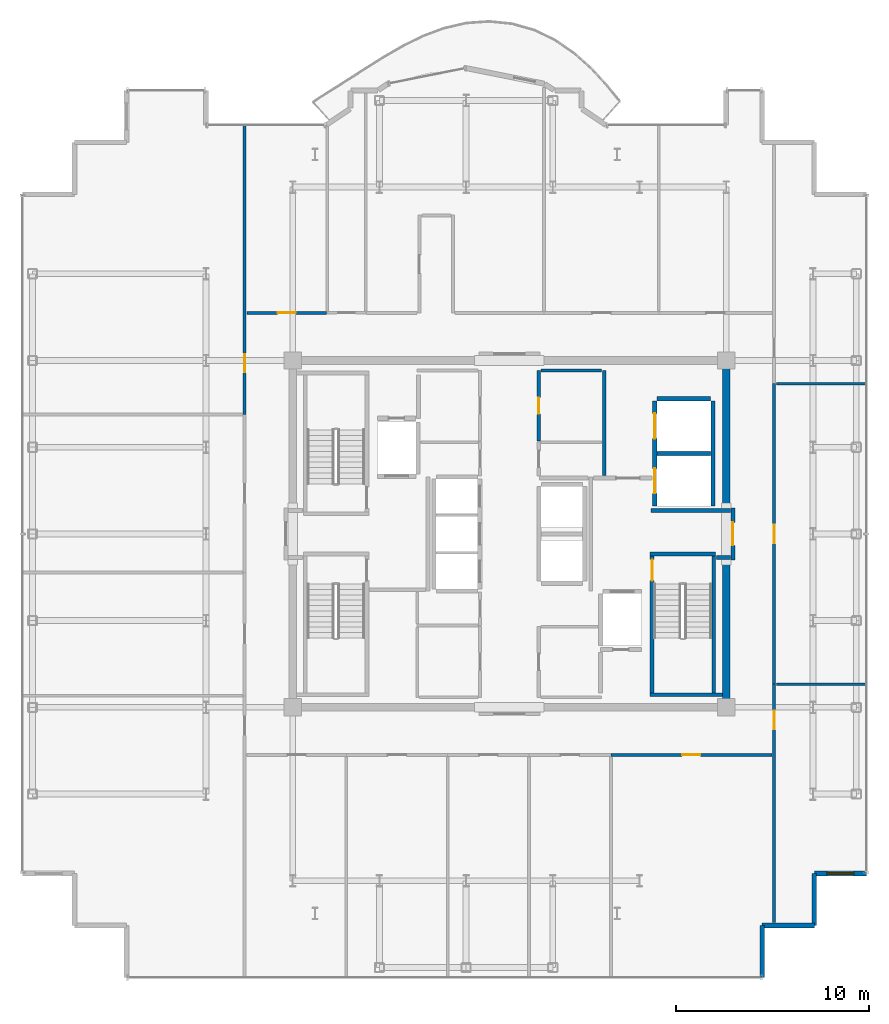
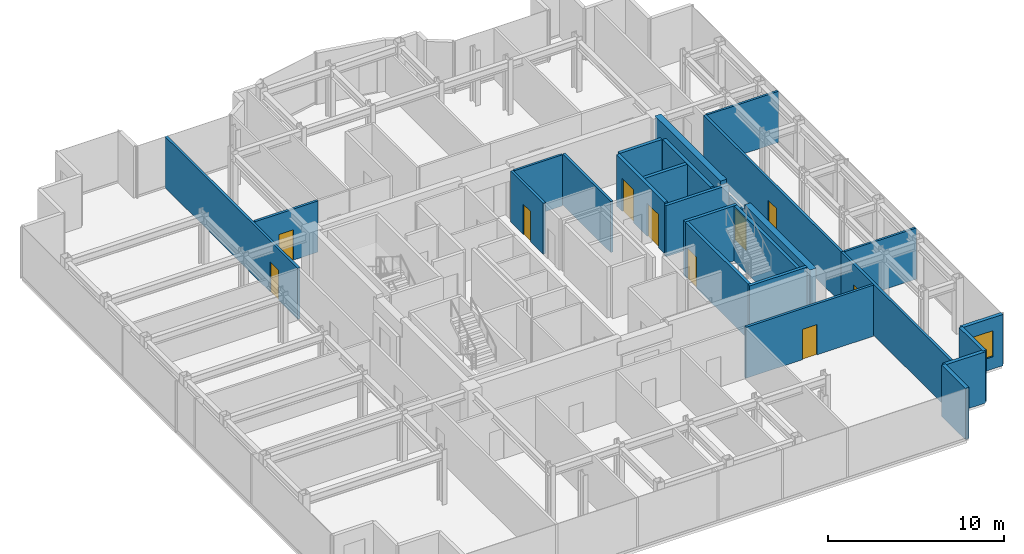
# One storey, part 15 of 18: 27 walls, 10 doors, 1 window, 11 openings.
"""IFC4 building model written with IfcOpenShell, lengths in metres."""

from ifc_helpers import new_model, si_unit, direction, frame, frame_2d, origin, place, context, subcontext, project, spatial, rectangle, extrude, source, transform, mapped, material, layer, layer_set, type_object, element, fill, save


model = new_model("IFC4")

# Units and contexts
model_context = context("Model", 3, precision=1e-05, world=origin(), true_north=direction((0.0, 1.0)))
body_context = subcontext(model_context, "Body", "Model", "MODEL_VIEW")
ifc_project = project(units=[si_unit("LENGTHUNIT", "METRE"), si_unit("AREAUNIT", "SQUARE_METRE"), si_unit("VOLUMEUNIT", "CUBIC_METRE"), si_unit("PLANEANGLEUNIT", "RADIAN"), si_unit("MASSUNIT", "GRAM", prefix="KILO")], contexts=[model_context])

# Site, building, storey
site_placement = place(None, origin())
site = spatial("IfcSite", under=ifc_project, at=site_placement, CompositionType="ELEMENT")
building_placement = place(site_placement, origin())
building = spatial("IfcBuilding", under=site, at=building_placement, Name="Nefas-Gora Pilgrimage Tower", CompositionType="ELEMENT")
storey_placement = place(building_placement, frame((0.0, 0.0, 330.0)))
storey = spatial("IfcBuildingStorey", under=building, at=storey_placement, Name="L83", CompositionType="ELEMENT", Elevation=330.0)

# Walls
ifc_material_1 = material(Name="Concrete C50/60", Category="concrete")
ifc_layer_1 = layer(ifc_material_1, 0.39990234375)
ifc_layer_set_1 = layer_set([ifc_layer_1], Name="Concrete C50/60")
wall_type_1 = type_object("IfcWallType", Name="SW-CORE-400", PredefinedType="SHEAR", material=ifc_layer_set_1)
shared_shape_1 = source(origin(), body_context, "Body", "SweptSolid", [
    extrude(rectangle(XDim=7.449951171875, YDim=0.39990234375, at=frame_2d((3.72509765625, 0.0))), origin(), (0.0, 0.0, 1.0), 3.800048828125),
])
for number, where, z_axis, x_axis, name in (
    (1, (11.25, -8.800048828125, 0.0), (0.0, 0.0, 1.0), (0.0, 1.0, 0.0), "L83 Core Shear Wall E-South"),
    (2, (11.25, 1.35009765625, 0.0), (0.0, 0.0, 1.0), (0.0, 1.0, 0.0), "L83 Core Shear Wall E-North"),
):
    element("IfcWall", number, at=place(storey_placement, frame(where, z_axis=z_axis, x_axis=x_axis)), inside=storey, type_object=wall_type_1, Name=name, PredefinedType="SHEAR", context=body_context, shape_type="MappedRepresentation", body=[
        mapped(shared_shape_1, transform((0.0, 0.0, 0.0), x_axis=(1.0, 0.0, 0.0), y_axis=(0.0, 1.0, 0.0), z_axis=(0.0, 0.0, 1.0), scale=1.0)),
    ])

# Wall, opening, window
ifc_material_2 = material(Name="Precast concrete C45/55", Category="concrete")
ifc_layer_2 = layer(ifc_material_2, 0.239990234375)
ifc_layer_set_2 = layer_set([ifc_layer_2], Name="Precast concrete C45/55")
wall_type_2 = type_object("IfcWallType", Name="EW-SERR-240", PredefinedType="SHEAR", material=ifc_layer_set_2)
shared_shape_2 = source(origin(), body_context, "Body", "SweptSolid", [
    extrude(rectangle(XDim=2.699951171875, YDim=0.239990234375, at=frame_2d((1.35009765625, 0.0))), origin(), (0.0, 0.0, 1.0), 3.550048828125),
])
wall_1_placement = place(storey_placement, frame((15.820068359375, -17.6201171875, 0.0), z_axis=(0.0, 0.0, 1.0), x_axis=(1.0, 0.0, 0.0)))
wall_1 = element("IfcWall", 3, at=wall_1_placement, inside=storey, type_object=wall_type_2, Name="L83 Serrated Corner Shear Pier Wall 1", PredefinedType="SHEAR", context=body_context, shape_type="MappedRepresentation", body=[
    mapped(shared_shape_2, transform((0.0, 0.0, 0.0), x_axis=(1.0, 0.0, 0.0), y_axis=(0.0, 1.0, 0.0), z_axis=(0.0, 0.0, 1.0), scale=1.0)),
])
opening_1_placement = place(wall_1_placement, frame((0.64990234375, 0.0, 0.85009765625)))
opening_1 = element("IfcOpeningElement", 4, at=opening_1_placement, cuts=wall_1, Name="Opening W-V2", PredefinedType="OPENING", context=body_context, shape_type="SweptSolid", body=[
    extrude(rectangle(XDim=1.39990234375, YDim=1.800048828125, at=frame_2d((0.699951171875, 0.89990234375))), frame((0.0, 0.1298828125, 0.0), z_axis=(0.0, -1.0, 0.0), x_axis=(1.0, 0.0, 0.0)), (0.0, 0.0, 1.0), 0.260009765625),
])
ifc_material_3 = material(Name="Dark ceramic-fritted operable aluminium-glass window", Category="aluminium")
window_type = type_object("IfcWindowType", Name="WIN-VENT-1400x1800", PartitioningType="SINGLE_PANEL", PredefinedType="WINDOW", material=ifc_material_3)
shared_shape_3 = source(origin(), body_context, "Body", "SweptSolid", [
    extrude(rectangle(XDim=1.39990234375, YDim=1.800048828125, at=frame_2d((0.699951171875, 0.89990234375))), frame((0.0, 0.030029296875, 0.0), z_axis=(0.0, -1.0, 0.0), x_axis=(1.0, 0.0, 0.0)), (0.0, 0.0, 1.0), 0.06005859375),
])
window_placement = place(opening_1_placement, origin())
window = element("IfcWindow", 5, at=window_placement, inside=storey, type_object=window_type, Name="L83 Operable Parallel-Outswing Window 1", OverallHeight=1.800048828125, OverallWidth=1.39990234375, PartitioningType="SINGLE_PANEL", PredefinedType="WINDOW", context=body_context, shape_type="MappedRepresentation", body=[
    mapped(shared_shape_3, transform((0.0, 0.0, 0.0), x_axis=(1.0, 0.0, 0.0), y_axis=(0.0, 1.0, 0.0), z_axis=(0.0, 0.0, 1.0), scale=1.0)),
])
fill(opening_1, window)

# Walls
for number, where, z_axis, x_axis, name in (
    (6, (13.1201171875, -23.02001953125, 0.0), (0.0, 0.0, 1.0), (0.0, 1.0, 0.0), "L83 Serrated Corner Shear Pier Wall 25"),
    (7, (13.1201171875, -20.320068359375, 0.0), (0.0, 0.0, 1.0), (1.0, 0.0, 0.0), "L83 Serrated Corner Shear Pier Wall 26"),
    (8, (15.820068359375, -20.320068359375, 0.0), (0.0, 0.0, 1.0), (0.0, 1.0, 0.0), "L83 Serrated Corner Shear Pier Wall 27"),
):
    element("IfcWall", number, at=place(storey_placement, frame(where, z_axis=z_axis, x_axis=x_axis)), inside=storey, type_object=wall_type_2, Name=name, PredefinedType="SHEAR", context=body_context, shape_type="MappedRepresentation", body=[
        mapped(shared_shape_2, transform((0.0, 0.0, 0.0), x_axis=(1.0, 0.0, 0.0), y_axis=(0.0, 1.0, 0.0), z_axis=(0.0, 0.0, 1.0), scale=1.0)),
    ])
ifc_material_4 = material(Name="Concrete C45/55", Category="concrete")
ifc_layer_3 = layer(ifc_material_4, 0.199951171875)
ifc_layer_set_3 = layer_set([ifc_layer_3], Name="Concrete C45/55")
wall_type_3 = type_object("IfcWallType", Name="IW-STAIR-200", PredefinedType="SOLIDWALL", material=ifc_layer_set_3)
shared_shape_4 = source(origin(), body_context, "Body", "SweptSolid", [
    extrude(rectangle(XDim=3.39990234375, YDim=0.199951171875, at=frame_2d((1.699951171875, 0.0))), origin(), (0.0, 0.0, 1.0), 3.800048828125),
])
wall_2_placement = place(storey_placement, frame((7.300048828125, -1.050048828125, 0.0), z_axis=(0.0, 0.0, 1.0), x_axis=(1.0, 0.0, 0.0)))
element("IfcWall", 9, at=wall_2_placement, inside=storey, type_object=wall_type_3, Name="L83 Stairwell Shear Wall ST-02-near", PredefinedType="SOLIDWALL", context=body_context, shape_type="MappedRepresentation", body=[
    mapped(shared_shape_4, transform((0.0, 0.0, 0.0), x_axis=(1.0, 0.0, 0.0), y_axis=(0.0, 1.0, 0.0), z_axis=(0.0, 0.0, 1.0), scale=1.0)),
])

# Wall, opening, door
shared_shape_5 = source(origin(), body_context, "Body", "SweptSolid", [
    extrude(rectangle(XDim=7.10009765625, YDim=0.199951171875, at=frame_2d((3.550048828125, 0.0))), origin(), (0.0, 0.0, 1.0), 3.800048828125),
])
wall_3_placement = place(storey_placement, frame((7.39990234375, -1.14990234375, 0.0), z_axis=(0.0, 0.0, 1.0), x_axis=(0.0, -1.0, 0.0)))
wall_3 = element("IfcWall", 10, at=wall_3_placement, inside=storey, type_object=wall_type_3, Name="L83 Stairwell Shear Wall ST-02-left", PredefinedType="SOLIDWALL", context=body_context, shape_type="MappedRepresentation", body=[
    mapped(shared_shape_5, transform((0.0, 0.0, 0.0), x_axis=(1.0, 0.0, 0.0), y_axis=(0.0, 1.0, 0.0), z_axis=(0.0, 0.0, 1.0), scale=1.0)),
])
opening_2_placement = place(wall_3_placement, frame((0.179931640625, 0.0, 0.0)))
opening_2 = element("IfcOpeningElement", 11, at=opening_2_placement, cuts=wall_3, Name="Opening ID-ST1", PredefinedType="OPENING", context=body_context, shape_type="SweptSolid", body=[
    extrude(rectangle(XDim=1.10009765625, YDim=2.14990234375, at=frame_2d((0.550048828125, 1.074951171875))), frame((0.0, 0.10986328125, 0.0), z_axis=(0.0, -1.0, 0.0), x_axis=(1.0, 0.0, 0.0)), (0.0, 0.0, 1.0), 0.219970703125),
])
ifc_material_5 = material(Name="Painted galvanised steel fire stair door", Category="steel")
door_type_1 = type_object("IfcDoorType", Name="DR-INT-STAIR-1100", OperationType="NOTDEFINED", PredefinedType="DOOR", material=ifc_material_5)
shared_shape_6 = source(origin(), body_context, "Body", "SweptSolid", [
    extrude(rectangle(XDim=1.10009765625, YDim=2.14990234375, at=frame_2d((0.550048828125, 1.074951171875))), frame((0.0, 0.02490234375, 0.0), z_axis=(0.0, -1.0, 0.0), x_axis=(1.0, 0.0, 0.0)), (0.0, 0.0, 1.0), 0.050048828125),
])
door_1_placement = place(opening_2_placement, origin())
door_1 = element("IfcDoor", 12, at=door_1_placement, inside=storey, type_object=door_type_1, Name="L83 Protected Exit Stair Door ST-02", OperationType="SINGLE_SWING_RIGHT", OverallHeight=2.14990234375, OverallWidth=1.10009765625, PredefinedType="DOOR", context=body_context, shape_type="MappedRepresentation", body=[
    mapped(shared_shape_6, transform((0.0, 0.0, 0.0), x_axis=(1.0, 0.0, 0.0), y_axis=(0.0, 1.0, 0.0), z_axis=(0.0, 0.0, 1.0), scale=1.0)),
])
fill(opening_2, door_1)

# Walls
wall_4_placement = place(storey_placement, frame((10.60009765625, -1.14990234375, 0.0), z_axis=(0.0, 0.0, 1.0), x_axis=(0.0, -1.0, 0.0)))
element("IfcWall", 13, at=wall_4_placement, inside=storey, type_object=wall_type_3, Name="L83 Stairwell Shear Wall ST-02-right", PredefinedType="SOLIDWALL", context=body_context, shape_type="MappedRepresentation", body=[
    mapped(shared_shape_5, transform((0.0, 0.0, 0.0), x_axis=(1.0, 0.0, 0.0), y_axis=(0.0, 1.0, 0.0), z_axis=(0.0, 0.0, 1.0), scale=1.0)),
])
shared_shape_7 = source(origin(), body_context, "Body", "SweptSolid", [
    extrude(rectangle(XDim=3.7548828125, YDim=0.199951171875, at=frame_2d((1.87744140625, 0.0))), origin(), (0.0, 0.0, 1.0), 3.800048828125),
])
wall_5_placement = place(storey_placement, frame((7.300048828125, -8.35009765625, 0.0), z_axis=(0.0, 0.0, 1.0), x_axis=(1.0, 0.0, 0.0)))
element("IfcWall", 14, at=wall_5_placement, inside=storey, type_object=wall_type_3, Name="L83 Stairwell Shear Wall ST-02-far", PredefinedType="SOLIDWALL", context=body_context, shape_type="MappedRepresentation", body=[
    mapped(shared_shape_7, transform((0.0, 0.0, 0.0), x_axis=(1.0, 0.0, 0.0), y_axis=(0.0, 1.0, 0.0), z_axis=(0.0, 0.0, 1.0), scale=1.0)),
])

# Wall, openings, doors
ifc_material_6 = material(Name="Concrete C40/50", Category="concrete")
ifc_layer_4 = layer(ifc_material_6, 0.219970703125)
ifc_layer_set_4 = layer_set([ifc_layer_4], Name="Concrete C40/50")
wall_type_4 = type_object("IfcWallType", Name="IW-SHAFT-220", PredefinedType="SOLIDWALL", material=ifc_layer_set_4)
shared_shape_8 = source(origin(), body_context, "Body", "SweptSolid", [
    extrude(rectangle(XDim=5.449951171875, YDim=0.219970703125, at=frame_2d((2.72509765625, 0.0))), origin(), (0.0, 0.0, 1.0), 3.534912109375),
])
wall_6_placement = place(storey_placement, frame((7.5400390625, 6.89990234375, 0.0), z_axis=(0.0, 0.0, 1.0), x_axis=(0.0, -1.0, 0.0)))
wall_6 = element("IfcWall", 15, at=wall_6_placement, inside=storey, type_object=wall_type_4, Name="L83 Hoistway Wall SL-01-02-W", PredefinedType="SOLIDWALL", context=body_context, shape_type="MappedRepresentation", body=[
    mapped(shared_shape_8, transform((0.0, 0.0, 0.0), x_axis=(1.0, 0.0, 0.0), y_axis=(0.0, 1.0, 0.0), z_axis=(0.0, 0.0, 1.0), scale=1.0)),
])
opening_3_placement = place(wall_6_placement, frame((3.5, 0.0, 0.0)))
opening_3 = element("IfcOpeningElement", 16, at=opening_3_placement, cuts=wall_6, Name="Opening LD-SV", PredefinedType="OPENING", context=body_context, shape_type="SweptSolid", body=[
    extrude(rectangle(XDim=1.300048828125, YDim=2.300048828125, at=frame_2d((0.64990234375, 1.14990234375))), frame((0.0, 0.119873046875, 0.0), z_axis=(0.0, -1.0, 0.0), x_axis=(1.0, 0.0, 0.0)), (0.0, 0.0, 1.0), 0.239990234375),
])
opening_4_placement = place(wall_6_placement, frame((0.64990234375, 0.0, 0.0)))
opening_4 = element("IfcOpeningElement", 17, at=opening_4_placement, cuts=wall_6, Name="Opening LD-SV", PredefinedType="OPENING", context=body_context, shape_type="SweptSolid", body=[
    extrude(rectangle(XDim=1.300048828125, YDim=2.300048828125, at=frame_2d((0.64990234375, 1.14990234375))), frame((0.0, 0.119873046875, 0.0), z_axis=(0.0, -1.0, 0.0), x_axis=(1.0, 0.0, 0.0)), (0.0, 0.0, 1.0), 0.239990234375),
])
ifc_material_7 = material(Name="Heavy goods sliding lift landing door")
door_type_2 = type_object("IfcDoorType", Name="DR-LIFT-SERV-1300", OperationType="SLIDING_TO_RIGHT", PredefinedType="DOOR", material=ifc_material_7)
shared_shape_9 = source(origin(), body_context, "Body", "SweptSolid", [
    extrude(rectangle(XDim=1.300048828125, YDim=2.300048828125, at=frame_2d((0.64990234375, 1.14990234375))), frame((0.0, 0.02490234375, 0.0), z_axis=(0.0, -1.0, 0.0), x_axis=(1.0, 0.0, 0.0)), (0.0, 0.0, 1.0), 0.050048828125),
])
door_2_placement = place(opening_3_placement, origin())
door_2 = element("IfcDoor", 18, at=door_2_placement, inside=storey, type_object=door_type_2, Name="L83 Sliding Lift Landing Door SL-01", OperationType="SLIDING_TO_RIGHT", OverallHeight=2.300048828125, OverallWidth=1.300048828125, PredefinedType="DOOR", context=body_context, shape_type="MappedRepresentation", body=[
    mapped(shared_shape_9, transform((0.0, 0.0, 0.0), x_axis=(1.0, 0.0, 0.0), y_axis=(0.0, 1.0, 0.0), z_axis=(0.0, 0.0, 1.0), scale=1.0)),
])
fill(opening_3, door_2)
door_3_placement = place(opening_4_placement, origin())
door_3 = element("IfcDoor", 19, at=door_3_placement, inside=storey, type_object=door_type_2, Name="L83 Sliding Lift Landing Door SL-02", OperationType="SLIDING_TO_RIGHT", OverallHeight=2.300048828125, OverallWidth=1.300048828125, PredefinedType="DOOR", context=body_context, shape_type="MappedRepresentation", body=[
    mapped(shared_shape_9, transform((0.0, 0.0, 0.0), x_axis=(1.0, 0.0, 0.0), y_axis=(0.0, 1.0, 0.0), z_axis=(0.0, 0.0, 1.0), scale=1.0)),
])
fill(opening_4, door_3)

# Walls
wall_7_placement = place(storey_placement, frame((10.56005859375, 1.449951171875, 0.0), z_axis=(0.0, 0.0, 1.0), x_axis=(0.0, 1.0, 0.0)))
element("IfcWall", 20, at=wall_7_placement, inside=storey, type_object=wall_type_4, Name="L83 Hoistway Wall SL-01-02-E", PredefinedType="SOLIDWALL", context=body_context, shape_type="MappedRepresentation", body=[
    mapped(shared_shape_8, transform((0.0, 0.0, 0.0), x_axis=(1.0, 0.0, 0.0), y_axis=(0.0, 1.0, 0.0), z_axis=(0.0, 0.0, 1.0), scale=1.0)),
])
shared_shape_10 = source(origin(), body_context, "Body", "SweptSolid", [
    extrude(rectangle(XDim=2.780029296875, YDim=0.219970703125, at=frame_2d((1.39013671875, 0.0))), origin(), (0.0, 0.0, 1.0), 3.534912109375),
])
for number, where, z_axis, x_axis, name in (
    (21, (7.659912109375, 4.175048828125, 0.0), (0.0, 0.0, 1.0), (1.0, 0.0, 0.0), "L83 Hoistway Wall SL-01-02-DIV"),
    (22, (10.43994140625, 7.010009765625, 0.0), (0.0, 0.0, 1.0), (-1.0, 0.0, 0.0), "L83 Hoistway Wall SL-02-N"),
):
    element("IfcWall", number, at=place(storey_placement, frame(where, z_axis=z_axis, x_axis=x_axis)), inside=storey, type_object=wall_type_4, Name=name, PredefinedType="SOLIDWALL", context=body_context, shape_type="MappedRepresentation", body=[
        mapped(shared_shape_10, transform((0.0, 0.0, 0.0), x_axis=(1.0, 0.0, 0.0), y_axis=(0.0, 1.0, 0.0), z_axis=(0.0, 0.0, 1.0), scale=1.0)),
    ])
ifc_material_8 = material(Name="Gypsum fire-rated shaftwall")
ifc_layer_5 = layer(ifc_material_8, 0.199951171875)
ifc_layer_set_5 = layer_set([ifc_layer_5], Name="Gypsum fire-rated shaftwall")
wall_type_5 = type_object("IfcWallType", Name="IW-FFLOB-200", PredefinedType="PARTITIONING", material=ifc_layer_set_5)
shared_shape_11 = source(origin(), body_context, "Body", "SweptSolid", [
    extrude(rectangle(XDim=0.719970703125, YDim=0.199951171875, at=frame_2d((0.35986328125, 0.0))), origin(), (0.0, 0.0, 1.0), 3.534912109375),
])
wall_8_placement = place(storey_placement, frame((10.739990234375, -1.219970703125, 0.0), z_axis=(0.0, 0.0, 1.0), x_axis=(1.0, 0.0, 0.0)))
element("IfcWall", 23, at=wall_8_placement, inside=storey, type_object=wall_type_5, Name="L83 FF Lobby East Throat S Wall 15", PredefinedType="PARTITIONING", context=body_context, shape_type="MappedRepresentation", body=[
    mapped(shared_shape_11, transform((0.0, 0.0, 0.0), x_axis=(1.0, 0.0, 0.0), y_axis=(0.0, 1.0, 0.0), z_axis=(0.0, 0.0, 1.0), scale=1.0)),
])
shared_shape_12 = source(origin(), body_context, "Body", "SweptSolid", [
    extrude(rectangle(XDim=4.10986328125, YDim=0.199951171875, at=frame_2d((2.054931640625, 0.0))), origin(), (0.0, 0.0, 1.0), 3.534912109375),
])
wall_9_placement = place(storey_placement, frame((7.35009765625, 1.219970703125, 0.0), z_axis=(0.0, 0.0, 1.0), x_axis=(1.0, 0.0, 0.0)))
element("IfcWall", 24, at=wall_9_placement, inside=storey, type_object=wall_type_5, Name="L83 FF Lobby East Throat N Wall 14", PredefinedType="PARTITIONING", context=body_context, shape_type="MappedRepresentation", body=[
    mapped(shared_shape_12, transform((0.0, 0.0, 0.0), x_axis=(1.0, 0.0, 0.0), y_axis=(0.0, 1.0, 0.0), z_axis=(0.0, 0.0, 1.0), scale=1.0)),
])

# Wall, opening, door
ifc_material_9 = material(Name="Gypsum acoustic stud partition")
ifc_layer_6 = layer(ifc_material_9, 0.159912109375)
ifc_layer_set_6 = layer_set([ifc_layer_6], Name="Gypsum acoustic stud partition")
wall_type_6 = type_object("IfcWallType", Name="IW-CORR-160", PredefinedType="PARTITIONING", material=ifc_layer_set_6)
shared_shape_13 = source(origin(), body_context, "Body", "SweptSolid", [
    extrude(rectangle(XDim=4.125, YDim=0.159912109375, at=frame_2d((2.0625, 0.0))), origin(), (0.0, 0.0, 1.0), 3.534912109375),
])
wall_10_placement = place(storey_placement, frame((-13.6201171875, 11.469970703125, 0.0), z_axis=(0.0, 0.0, 1.0), x_axis=(1.0, 0.0, 0.0)))
wall_10 = element("IfcWall", 25, at=wall_10_placement, inside=storey, type_object=wall_type_6, Name="L83 Pilgrim Fellowship Seminar Room Partition Wall 51", PredefinedType="PARTITIONING", context=body_context, shape_type="MappedRepresentation", body=[
    mapped(shared_shape_13, transform((0.0, 0.0, 0.0), x_axis=(1.0, 0.0, 0.0), y_axis=(0.0, 1.0, 0.0), z_axis=(0.0, 0.0, 1.0), scale=1.0)),
])
opening_5_placement = place(wall_10_placement, frame((1.58740234375, 0.0, 0.0)))
opening_5 = element("IfcOpeningElement", 26, at=opening_5_placement, cuts=wall_10, Name="Opening ID-GR1", PredefinedType="OPENING", context=body_context, shape_type="SweptSolid", body=[
    extrude(rectangle(XDim=0.949951171875, YDim=2.10009765625, at=frame_2d((0.47509765625, 1.050048828125))), frame((0.0, 0.08984375, 0.0), z_axis=(0.0, -1.0, 0.0), x_axis=(1.0, 0.0, 0.0)), (0.0, 0.0, 1.0), 0.179931640625),
])
ifc_material_10 = material(Name="Solid core oak fire-rated guest entrance door")
door_type_3 = type_object("IfcDoorType", Name="DR-INT-GUEST-950", OperationType="NOTDEFINED", PredefinedType="DOOR", material=ifc_material_10)
shared_shape_14 = source(origin(), body_context, "Body", "SweptSolid", [
    extrude(rectangle(XDim=0.949951171875, YDim=2.10009765625, at=frame_2d((0.47509765625, 1.050048828125))), frame((0.0, 0.02490234375, 0.0), z_axis=(0.0, -1.0, 0.0), x_axis=(1.0, 0.0, 0.0)), (0.0, 0.0, 1.0), 0.050048828125),
])
door_4_placement = place(opening_5_placement, origin())
door_4 = element("IfcDoor", 27, at=door_4_placement, inside=storey, type_object=door_type_3, Name="L83 Pilgrim Fellowship Seminar Room Door 23", OperationType="SINGLE_SWING_RIGHT", OverallHeight=2.10009765625, OverallWidth=0.949951171875, PredefinedType="DOOR", context=body_context, shape_type="MappedRepresentation", body=[
    mapped(shared_shape_14, transform((0.0, 0.0, 0.0), x_axis=(1.0, 0.0, 0.0), y_axis=(0.0, 1.0, 0.0), z_axis=(0.0, 0.0, 1.0), scale=1.0)),
])
fill(opening_5, door_4)

# Walls
ifc_material_11 = material(Name="Gypsum twin-stud partition")
ifc_layer_7 = layer(ifc_material_11, 0.139892578125)
ifc_layer_set_7 = layer_set([ifc_layer_7], Name="Gypsum twin-stud partition")
wall_type_7 = type_object("IfcWallType", Name="IW-UNIT-140", PredefinedType="PARTITIONING", material=ifc_layer_set_7)
shared_shape_15 = source(origin(), body_context, "Body", "SweptSolid", [
    extrude(rectangle(XDim=3.150146484375, YDim=0.139892578125, at=frame_2d((1.5751953125, 0.0))), origin(), (0.0, 0.0, 1.0), 3.534912109375),
])
wall_11_placement = place(storey_placement, frame((1.639892578125, 8.47998046875, 0.0), z_axis=(0.0, 0.0, 1.0), x_axis=(1.0, 0.0, 0.0)))
element("IfcWall", 28, at=wall_11_placement, inside=storey, type_object=wall_type_7, Name="L83 Amenity Supply Store Partition Wall 26", PredefinedType="PARTITIONING", context=body_context, shape_type="MappedRepresentation", body=[
    mapped(shared_shape_15, transform((0.0, 0.0, 0.0), x_axis=(1.0, 0.0, 0.0), y_axis=(0.0, 1.0, 0.0), z_axis=(0.0, 0.0, 1.0), scale=1.0)),
])
shared_shape_16 = source(origin(), body_context, "Body", "SweptSolid", [
    extrude(rectangle(XDim=5.449951171875, YDim=0.159912109375, at=frame_2d((2.72509765625, 0.0))), origin(), (0.0, 0.0, 1.0), 3.534912109375),
])
wall_12_placement = place(storey_placement, frame((4.919921875, 3.0400390625, 0.0), z_axis=(0.0, 0.0, 1.0), x_axis=(0.0, 1.0, 0.0)))
element("IfcWall", 29, at=wall_12_placement, inside=storey, type_object=wall_type_6, Name="L83 Service Lift Lobby West Wall Wall 18", PredefinedType="PARTITIONING", context=body_context, shape_type="MappedRepresentation", body=[
    mapped(shared_shape_16, transform((0.0, 0.0, 0.0), x_axis=(1.0, 0.0, 0.0), y_axis=(0.0, 1.0, 0.0), z_axis=(0.0, 0.0, 1.0), scale=1.0)),
])

# Wall, opening, door
shared_shape_17 = source(origin(), body_context, "Body", "SweptSolid", [
    extrude(rectangle(XDim=3.679931640625, YDim=0.159912109375, at=frame_2d((1.83984375, 0.0))), origin(), (0.0, 0.0, 1.0), 3.534912109375),
])
wall_13_placement = place(storey_placement, frame((1.52001953125, 4.81005859375, 0.0), z_axis=(0.0, 0.0, 1.0), x_axis=(0.0, 1.0, 0.0)))
wall_13 = element("IfcWall", 30, at=wall_13_placement, inside=storey, type_object=wall_type_6, Name="L83 Amenity Supply Store Wall 25", PredefinedType="PARTITIONING", context=body_context, shape_type="MappedRepresentation", body=[
    mapped(shared_shape_17, transform((0.0, 0.0, 0.0), x_axis=(1.0, 0.0, 0.0), y_axis=(0.0, 1.0, 0.0), z_axis=(0.0, 0.0, 1.0), scale=1.0)),
])
opening_6_placement = place(wall_13_placement, frame((1.4150390625, 0.0, 0.0)))
opening_6 = element("IfcOpeningElement", 31, at=opening_6_placement, cuts=wall_13, Name="Opening ID-BT1", PredefinedType="OPENING", context=body_context, shape_type="SweptSolid", body=[
    extrude(rectangle(XDim=0.85009765625, YDim=2.10009765625, at=frame_2d((0.425048828125, 1.050048828125))), frame((0.0, 0.08984375, 0.0), z_axis=(0.0, -1.0, 0.0), x_axis=(1.0, 0.0, 0.0)), (0.0, 0.0, 1.0), 0.179931640625),
])
ifc_material_12 = material(Name="Moisture-resistant fire-rated timber door", Category="wood")
door_type_4 = type_object("IfcDoorType", Name="DR-INT-BATH-850", OperationType="NOTDEFINED", PredefinedType="DOOR", material=ifc_material_12)
shared_shape_18 = source(origin(), body_context, "Body", "SweptSolid", [
    extrude(rectangle(XDim=0.85009765625, YDim=2.10009765625, at=frame_2d((0.425048828125, 1.050048828125))), frame((0.0, 0.02490234375, 0.0), z_axis=(0.0, -1.0, 0.0), x_axis=(1.0, 0.0, 0.0)), (0.0, 0.0, 1.0), 0.050048828125),
])
door_5_placement = place(opening_6_placement, origin())
door_5 = element("IfcDoor", 32, at=door_5_placement, inside=storey, type_object=door_type_4, Name="L83 Amenity Supply Store Door 11", OperationType="SINGLE_SWING_RIGHT", OverallHeight=2.10009765625, OverallWidth=0.85009765625, PredefinedType="DOOR", context=body_context, shape_type="MappedRepresentation", body=[
    mapped(shared_shape_18, transform((0.0, 0.0, 0.0), x_axis=(1.0, 0.0, 0.0), y_axis=(0.0, 1.0, 0.0), z_axis=(0.0, 0.0, 1.0), scale=1.0)),
])
fill(opening_6, door_5)

shared_shape_19 = source(origin(), body_context, "Body", "SweptSolid", [
    extrude(rectangle(XDim=2.7001953125, YDim=0.199951171875, at=frame_2d((1.35009765625, 0.0))), origin(), (0.0, 0.0, 1.0), 2.625),
])
wall_14_placement = place(storey_placement, frame((11.60009765625, -1.35009765625, 0.0), z_axis=(0.0, 0.0, 1.0), x_axis=(0.0, 1.0, 0.0)))
wall_14 = element("IfcWall", 33, at=wall_14_placement, inside=storey, type_object=wall_type_5, Name="L83 FF Lobby East Portal Wall 10", PredefinedType="PARTITIONING", context=body_context, shape_type="MappedRepresentation", body=[
    mapped(shared_shape_19, transform((0.0, 0.0, 0.0), x_axis=(1.0, 0.0, 0.0), y_axis=(0.0, 1.0, 0.0), z_axis=(0.0, 0.0, 1.0), scale=1.0)),
])
opening_7_placement = place(wall_14_placement, frame((0.75, 0.0, 0.0)))
opening_7 = element("IfcOpeningElement", 34, at=opening_7_placement, cuts=wall_14, Name="Opening ID-FF1", PredefinedType="OPENING", context=body_context, shape_type="SweptSolid", body=[
    extrude(rectangle(XDim=1.199951171875, YDim=2.14990234375, at=frame_2d((0.60009765625, 1.074951171875))), frame((0.0, 0.10986328125, 0.0), z_axis=(0.0, -1.0, 0.0), x_axis=(1.0, 0.0, 0.0)), (0.0, 0.0, 1.0), 0.219970703125),
])
ifc_material_13 = material(Name="Smoke-sealed steel firefighting lobby door", Category="steel")
door_type_5 = type_object("IfcDoorType", Name="DR-INT-FFLOB-1200", OperationType="NOTDEFINED", PredefinedType="DOOR", material=ifc_material_13)
shared_shape_20 = source(origin(), body_context, "Body", "SweptSolid", [
    extrude(rectangle(XDim=1.199951171875, YDim=2.14990234375, at=frame_2d((0.60009765625, 1.074951171875))), frame((0.0, 0.02490234375, 0.0), z_axis=(0.0, -1.0, 0.0), x_axis=(1.0, 0.0, 0.0)), (0.0, 0.0, 1.0), 0.050048828125),
])
door_6_placement = place(opening_7_placement, origin())
door_6 = element("IfcDoor", 35, at=door_6_placement, inside=storey, type_object=door_type_5, Name="L83 FF Lobby East Portal Door 4", OperationType="SINGLE_SWING_LEFT", OverallHeight=2.14990234375, OverallWidth=1.199951171875, PredefinedType="DOOR", context=body_context, shape_type="MappedRepresentation", body=[
    mapped(shared_shape_20, transform((0.0, 0.0, 0.0), x_axis=(1.0, 0.0, 0.0), y_axis=(0.0, 1.0, 0.0), z_axis=(0.0, 0.0, 1.0), scale=1.0)),
])
fill(opening_7, door_6)

# Walls
shared_shape_21 = source(origin(), body_context, "Body", "SweptSolid", [
    extrude(rectangle(XDim=4.679931640625, YDim=0.139892578125, at=frame_2d((2.33984375, 0.0))), origin(), (0.0, 0.0, 1.0), 3.534912109375),
])
for number, where, z_axis, x_axis, name in (
    (36, (13.860107421875, -7.804931640625, 0.0), (0.0, 0.0, 1.0), (1.0, 0.0, 0.0), "L83 Pilgrim Fellowship Seminar Room Partition Wall 47"),
    (37, (13.860107421875, 7.794921875, 0.0), (0.0, 0.0, 1.0), (1.0, 0.0, 0.0), "L83 Pilgrim Fellowship Seminar Room Partition Wall 49"),
):
    element("IfcWall", number, at=place(storey_placement, frame(where, z_axis=z_axis, x_axis=x_axis)), inside=storey, type_object=wall_type_7, Name=name, PredefinedType="PARTITIONING", context=body_context, shape_type="MappedRepresentation", body=[
        mapped(shared_shape_21, transform((0.0, 0.0, 0.0), x_axis=(1.0, 0.0, 0.0), y_axis=(0.0, 1.0, 0.0), z_axis=(0.0, 0.0, 1.0), scale=1.0)),
    ])

# Wall, opening, door
shared_shape_22 = source(origin(), body_context, "Body", "SweptSolid", [
    extrude(rectangle(XDim=15.044921875, YDim=0.159912109375, at=frame_2d((7.5224609375, 0.0))), origin(), (0.0, 0.0, 1.0), 3.534912109375),
])
wall_15_placement = place(storey_placement, frame((-13.739990234375, 6.195068359375, 0.0), z_axis=(0.0, 0.0, 1.0), x_axis=(0.0, 1.0, 0.0)))
wall_15 = element("IfcWall", 38, at=wall_15_placement, inside=storey, type_object=wall_type_6, Name="L83 Pilgrim Tea and Beverage Pantry Partition Wall 45", PredefinedType="PARTITIONING", context=body_context, shape_type="MappedRepresentation", body=[
    mapped(shared_shape_22, transform((0.0, 0.0, 0.0), x_axis=(1.0, 0.0, 0.0), y_axis=(0.0, 1.0, 0.0), z_axis=(0.0, 0.0, 1.0), scale=1.0)),
])
opening_8_placement = place(wall_15_placement, frame((2.1826171875, 0.0, 0.0)))
opening_8 = element("IfcOpeningElement", 39, at=opening_8_placement, cuts=wall_15, Name="Opening ID-GR1", PredefinedType="OPENING", context=body_context, shape_type="SweptSolid", body=[
    extrude(rectangle(XDim=0.949951171875, YDim=2.10009765625, at=frame_2d((0.47509765625, 1.050048828125))), frame((0.0, 0.08984375, 0.0), z_axis=(0.0, -1.0, 0.0), x_axis=(1.0, 0.0, 0.0)), (0.0, 0.0, 1.0), 0.179931640625),
])
door_7_placement = place(opening_8_placement, origin())
door_7 = element("IfcDoor", 40, at=door_7_placement, inside=storey, type_object=door_type_3, Name="L83 Pilgrim Tea and Beverage Pantry Door 19", OperationType="SINGLE_SWING_RIGHT", OverallHeight=2.10009765625, OverallWidth=0.949951171875, PredefinedType="DOOR", context=body_context, shape_type="MappedRepresentation", body=[
    mapped(shared_shape_14, transform((0.0, 0.0, 0.0), x_axis=(1.0, 0.0, 0.0), y_axis=(0.0, 1.0, 0.0), z_axis=(0.0, 0.0, 1.0), scale=1.0)),
])
fill(opening_8, door_7)

shared_shape_23 = source(origin(), body_context, "Body", "SweptSolid", [
    extrude(rectangle(XDim=12.364990234375, YDim=0.159912109375, at=frame_2d((6.1826171875, 0.0))), origin(), (0.0, 0.0, 1.0), 3.534912109375),
])
wall_16_placement = place(storey_placement, frame((13.739990234375, -20.159912109375, 0.0), z_axis=(0.0, 0.0, 1.0), x_axis=(0.0, 1.0, 0.0)))
wall_16 = element("IfcWall", 41, at=wall_16_placement, inside=storey, type_object=wall_type_6, Name="L83 Pilgrim Fellowship Seminar Room Partition Wall 46", PredefinedType="PARTITIONING", context=body_context, shape_type="MappedRepresentation", body=[
    mapped(shared_shape_23, transform((0.0, 0.0, 0.0), x_axis=(1.0, 0.0, 0.0), y_axis=(0.0, 1.0, 0.0), z_axis=(0.0, 0.0, 1.0), scale=1.0)),
])
opening_9_placement = place(wall_16_placement, frame((10.032470703125, 0.0, 0.0)))
opening_9 = element("IfcOpeningElement", 42, at=opening_9_placement, cuts=wall_16, Name="Opening ID-GR1", PredefinedType="OPENING", context=body_context, shape_type="SweptSolid", body=[
    extrude(rectangle(XDim=0.949951171875, YDim=2.10009765625, at=frame_2d((0.47509765625, 1.050048828125))), frame((0.0, 0.08984375, 0.0), z_axis=(0.0, -1.0, 0.0), x_axis=(1.0, 0.0, 0.0)), (0.0, 0.0, 1.0), 0.179931640625),
])
door_8_placement = place(opening_9_placement, origin())
door_8 = element("IfcDoor", 43, at=door_8_placement, inside=storey, type_object=door_type_3, Name="L83 Pilgrim Fellowship Seminar Room Door 20", OperationType="SINGLE_SWING_LEFT", OverallHeight=2.10009765625, OverallWidth=0.949951171875, PredefinedType="DOOR", context=body_context, shape_type="MappedRepresentation", body=[
    mapped(shared_shape_14, transform((0.0, 0.0, 0.0), x_axis=(1.0, 0.0, 0.0), y_axis=(0.0, 1.0, 0.0), z_axis=(0.0, 0.0, 1.0), scale=1.0)),
])
fill(opening_9, door_8)

shared_shape_24 = source(origin(), body_context, "Body", "SweptSolid", [
    extrude(rectangle(XDim=15.60986328125, YDim=0.159912109375, at=frame_2d((7.804931640625, 0.0))), origin(), (0.0, 0.0, 1.0), 3.534912109375),
])
wall_17_placement = place(storey_placement, frame((13.739990234375, -7.804931640625, 0.0), z_axis=(0.0, 0.0, 1.0), x_axis=(0.0, 1.0, 0.0)))
wall_17 = element("IfcWall", 44, at=wall_17_placement, inside=storey, type_object=wall_type_6, Name="L83 Pilgrim Fellowship Seminar Room Partition Wall 48", PredefinedType="PARTITIONING", context=body_context, shape_type="MappedRepresentation", body=[
    mapped(shared_shape_24, transform((0.0, 0.0, 0.0), x_axis=(1.0, 0.0, 0.0), y_axis=(0.0, 1.0, 0.0), z_axis=(0.0, 0.0, 1.0), scale=1.0)),
])
opening_10_placement = place(wall_17_placement, frame((7.330078125, 0.0, 0.0)))
opening_10 = element("IfcOpeningElement", 45, at=opening_10_placement, cuts=wall_17, Name="Opening ID-GR1", PredefinedType="OPENING", context=body_context, shape_type="SweptSolid", body=[
    extrude(rectangle(XDim=0.949951171875, YDim=2.10009765625, at=frame_2d((0.47509765625, 1.050048828125))), frame((0.0, 0.08984375, 0.0), z_axis=(0.0, -1.0, 0.0), x_axis=(1.0, 0.0, 0.0)), (0.0, 0.0, 1.0), 0.179931640625),
])
door_9_placement = place(opening_10_placement, origin())
door_9 = element("IfcDoor", 46, at=door_9_placement, inside=storey, type_object=door_type_3, Name="L83 Pilgrim Fellowship Seminar Room Door 21", OperationType="SINGLE_SWING_RIGHT", OverallHeight=2.10009765625, OverallWidth=0.949951171875, PredefinedType="DOOR", context=body_context, shape_type="MappedRepresentation", body=[
    mapped(shared_shape_14, transform((0.0, 0.0, 0.0), x_axis=(1.0, 0.0, 0.0), y_axis=(0.0, 1.0, 0.0), z_axis=(0.0, 0.0, 1.0), scale=1.0)),
])
fill(opening_10, door_9)

shared_shape_25 = source(origin(), body_context, "Body", "SweptSolid", [
    extrude(rectangle(XDim=8.360107421875, YDim=0.159912109375, at=frame_2d((4.18017578125, 0.0))), origin(), (0.0, 0.0, 1.0), 3.534912109375),
])
wall_18_placement = place(storey_placement, frame((5.260009765625, -11.469970703125, 0.0), z_axis=(0.0, 0.0, 1.0), x_axis=(1.0, 0.0, 0.0)))
wall_18 = element("IfcWall", 47, at=wall_18_placement, inside=storey, type_object=wall_type_6, Name="L83 Pilgrim Contemplative Lounge Partition Wall 65", PredefinedType="PARTITIONING", context=body_context, shape_type="MappedRepresentation", body=[
    mapped(shared_shape_25, transform((0.0, 0.0, 0.0), x_axis=(1.0, 0.0, 0.0), y_axis=(0.0, 1.0, 0.0), z_axis=(0.0, 0.0, 1.0), scale=1.0)),
])
opening_11_placement = place(wall_18_placement, frame((3.705078125, 0.0, 0.0)))
opening_11 = element("IfcOpeningElement", 48, at=opening_11_placement, cuts=wall_18, Name="Opening ID-GR1", PredefinedType="OPENING", context=body_context, shape_type="SweptSolid", body=[
    extrude(rectangle(XDim=0.949951171875, YDim=2.10009765625, at=frame_2d((0.47509765625, 1.050048828125))), frame((0.0, 0.08984375, 0.0), z_axis=(0.0, -1.0, 0.0), x_axis=(1.0, 0.0, 0.0)), (0.0, 0.0, 1.0), 0.179931640625),
])
door_10_placement = place(opening_11_placement, origin())
door_10 = element("IfcDoor", 49, at=door_10_placement, inside=storey, type_object=door_type_3, Name="L83 Pilgrim Contemplative Lounge Door 29", OperationType="SINGLE_SWING_RIGHT", OverallHeight=2.10009765625, OverallWidth=0.949951171875, PredefinedType="DOOR", context=body_context, shape_type="MappedRepresentation", body=[
    mapped(shared_shape_14, transform((0.0, 0.0, 0.0), x_axis=(1.0, 0.0, 0.0), y_axis=(0.0, 1.0, 0.0), z_axis=(0.0, 0.0, 1.0), scale=1.0)),
])
fill(opening_11, door_10)

save(model, "model.ifc")
